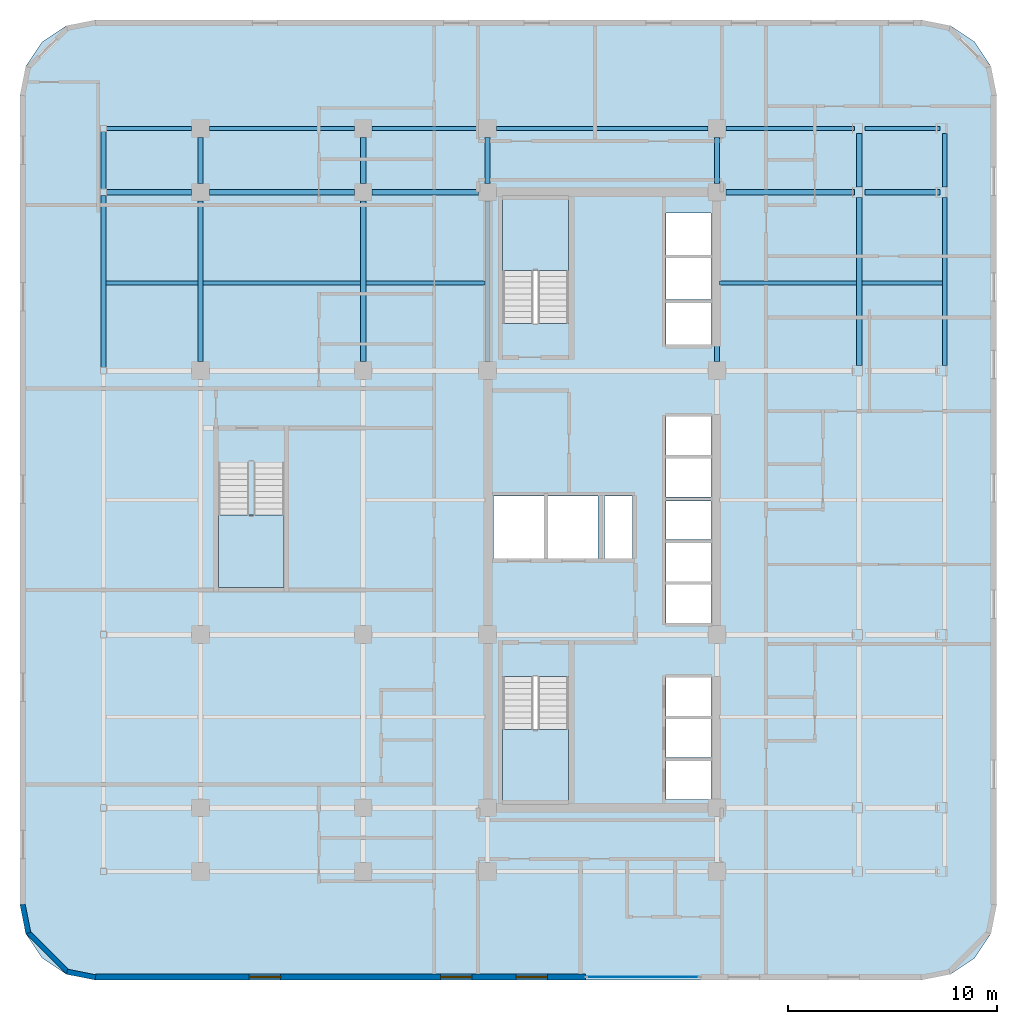
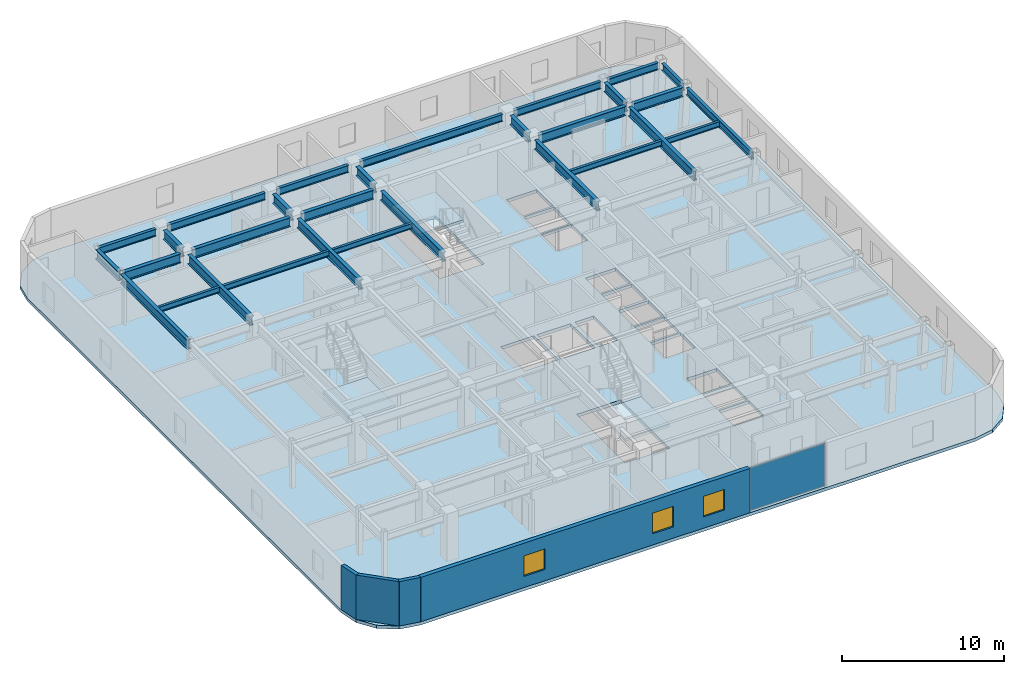
# One storey, part 7 of 13: 30 beams, 4 slabs, 4 walls, 3 windows, 1 plate, 3 openings, 4 elements without a shape of their own.
"""IFC4 building model written with IfcOpenShell, lengths in metres."""

from ifc_helpers import new_model, si_unit, direction, frame, frame_2d, origin, origin_2d, place, context, subcontext, project, spatial, polyline, rectangle, i_section, outline, extrude, material, layer, layer_set, material_profile, profile_set, type_object, element, fill, aggregate, save


model = new_model("IFC4")

# Units and contexts
model_context = context("Model", 3, precision=1e-05, world=origin(), true_north=direction((0.0, 1.0)))
body_context = subcontext(model_context, "Body", "Model", "MODEL_VIEW")
ifc_project = project(units=[si_unit("LENGTHUNIT", "METRE"), si_unit("AREAUNIT", "SQUARE_METRE"), si_unit("VOLUMEUNIT", "CUBIC_METRE"), si_unit("PLANEANGLEUNIT", "RADIAN"), si_unit("MASSUNIT", "GRAM", prefix="KILO")], contexts=[model_context])

# Site, building, storey
site_placement = place(None, origin())
site = spatial("IfcSite", under=ifc_project, at=site_placement, CompositionType="ELEMENT")
building_placement = place(site_placement, origin())
building = spatial("IfcBuilding", under=site, at=building_placement, Name="Ochreholt Gables", CompositionType="ELEMENT")
storey_placement = place(building_placement, frame((0.0, 0.0, 56.39990234375)))
storey = spatial("IfcBuildingStorey", under=building, at=storey_placement, Name="L14", CompositionType="ELEMENT", Elevation=56.39990234375)

# Beams
ifc_material_1 = material(Name="Steel CSA G40.21 350W", Category="steel")
ifc_material_profile_1 = material_profile(ifc_material_1, i_section(OverallWidth=0.256103515625, OverallDepth=0.693115234375, WebThickness=0.014404296875, FlangeThickness=0.023681640625, at=origin_2d()), Name="W690X170")
ifc_profile_set_1 = profile_set([ifc_material_profile_1], Name="Steel CSA G40.21 350W")
beam_type_1 = type_object("IfcBeamType", Name="BM-G-W690", PredefinedType="BEAM", material=ifc_profile_set_1)
beam_1_placement = place(storey_placement, frame((5.9521484375, 38.75, 3.003662109375), z_axis=(1.0, 0.0, 0.0), x_axis=(0.0, 1.0, 0.0)))
element("IfcBeam", 1, at=beam_1_placement, inside=storey, type_object=beam_type_1, Name="L14 Beam TBG-L14-WTW2-Y5", PredefinedType="BEAM", context=body_context, shape_type="SweptSolid", body=[
    extrude(i_section(OverallWidth=0.256103515625, OverallDepth=0.693115234375, WebThickness=0.014404296875, FlangeThickness=0.023681640625, at=origin_2d()), origin(), (0.0, 0.0, 1.0), 4.0732421875),
])
beam_2_placement = place(storey_placement, frame((10.87451171875, 38.75, 3.003662109375), z_axis=(1.0, 0.0, 0.0), x_axis=(0.0, 1.0, 0.0)))
element("IfcBeam", 2, at=beam_2_placement, inside=storey, type_object=beam_type_1, Name="L14 Beam TBG-L14-W2W3-Y5", PredefinedType="BEAM", context=body_context, shape_type="SweptSolid", body=[
    extrude(i_section(OverallWidth=0.256103515625, OverallDepth=0.693115234375, WebThickness=0.014404296875, FlangeThickness=0.023681640625, at=origin_2d()), origin(), (0.0, 0.0, 1.0), 6.950927734375),
])
beam_3_placement = place(storey_placement, frame((18.674560546875, 38.75, 3.003662109375), z_axis=(1.0, 0.0, 0.0), x_axis=(0.0, 1.0, 0.0)))
element("IfcBeam", 3, at=beam_3_placement, inside=storey, type_object=beam_type_1, Name="L14 Beam TBG-L14-W3C1-Y5", PredefinedType="BEAM", context=body_context, shape_type="SweptSolid", body=[
    extrude(i_section(OverallWidth=0.256103515625, OverallDepth=0.693115234375, WebThickness=0.014404296875, FlangeThickness=0.023681640625, at=origin_2d()), origin(), (0.0, 0.0, 1.0), 5.100830078125),
])
beam_4_placement = place(storey_placement, frame((35.62451171875, 38.75, 3.003662109375), z_axis=(1.0, 0.0, 0.0), x_axis=(0.0, 1.0, 0.0)))
element("IfcBeam", 4, at=beam_4_placement, inside=storey, type_object=beam_type_1, Name="L14 Beam TBG-L14-C2EM-Y5", PredefinedType="BEAM", context=body_context, shape_type="SweptSolid", body=[
    extrude(i_section(OverallWidth=0.256103515625, OverallDepth=0.693115234375, WebThickness=0.014404296875, FlangeThickness=0.023681640625, at=origin_2d()), origin(), (0.0, 0.0, 1.0), 6.161865234375),
])
beam_5_placement = place(storey_placement, frame((42.28564453125, 38.75, 3.003662109375), z_axis=(1.0, 0.0, 0.0), x_axis=(0.0, 1.0, 0.0)))
element("IfcBeam", 5, at=beam_5_placement, inside=storey, type_object=beam_type_1, Name="L14 Beam TBG-L14-EMEE-Y5", PredefinedType="BEAM", context=body_context, shape_type="SweptSolid", body=[
    extrude(i_section(OverallWidth=0.256103515625, OverallDepth=0.693115234375, WebThickness=0.014404296875, FlangeThickness=0.023681640625, at=origin_2d()), origin(), (0.0, 0.0, 1.0), 3.6015625),
])
beam_6_placement = place(storey_placement, frame((5.800048828125, 30.35205078125, 3.003662109375), z_axis=(0.0, 1.0, 0.0), x_axis=(-1.0, 0.0, 0.0)))
element("IfcBeam", 6, at=beam_6_placement, inside=storey, type_object=beam_type_1, Name="L14 Beam TBN-L14-WT-Y4Y5", PredefinedType="BEAM", context=body_context, shape_type="SweptSolid", body=[
    extrude(i_section(OverallWidth=0.256103515625, OverallDepth=0.693115234375, WebThickness=0.014404296875, FlangeThickness=0.023681640625, at=origin_2d()), origin(), (0.0, 0.0, 1.0), 8.245849609375),
])
beam_7_placement = place(storey_placement, frame((5.800048828125, 38.902099609375, 3.003662109375), z_axis=(0.0, 1.0, 0.0), x_axis=(-1.0, 0.0, 0.0)))
element("IfcBeam", 7, at=beam_7_placement, inside=storey, type_object=beam_type_1, Name="L14 Beam TBN-L14-WT-Y5Y6", PredefinedType="BEAM", context=body_context, shape_type="SweptSolid", body=[
    extrude(i_section(OverallWidth=0.256103515625, OverallDepth=0.693115234375, WebThickness=0.014404296875, FlangeThickness=0.023681640625, at=origin_2d()), origin(), (0.0, 0.0, 1.0), 2.745849609375),
])
beam_8_placement = place(storey_placement, frame((10.449951171875, 30.62451171875, 3.003662109375), z_axis=(0.0, 1.0, 0.0), x_axis=(-1.0, 0.0, 0.0)))
element("IfcBeam", 8, at=beam_8_placement, inside=storey, type_object=beam_type_1, Name="L14 Beam TBN-L14-W2-Y4Y5", PredefinedType="BEAM", context=body_context, shape_type="SweptSolid", body=[
    extrude(i_section(OverallWidth=0.256103515625, OverallDepth=0.693115234375, WebThickness=0.014404296875, FlangeThickness=0.023681640625, at=origin_2d()), origin(), (0.0, 0.0, 1.0), 7.700927734375),
])
beam_9_placement = place(storey_placement, frame((10.449951171875, 39.174560546875, 3.003662109375), z_axis=(0.0, 1.0, 0.0), x_axis=(-1.0, 0.0, 0.0)))
element("IfcBeam", 9, at=beam_9_placement, inside=storey, type_object=beam_type_1, Name="L14 Beam TBN-L14-W2-Y5Y6", PredefinedType="BEAM", context=body_context, shape_type="SweptSolid", body=[
    extrude(i_section(OverallWidth=0.256103515625, OverallDepth=0.693115234375, WebThickness=0.014404296875, FlangeThickness=0.023681640625, at=origin_2d()), origin(), (0.0, 0.0, 1.0), 2.200927734375),
])
beam_10_placement = place(storey_placement, frame((18.25, 30.62451171875, 3.003662109375), z_axis=(0.0, 1.0, 0.0), x_axis=(-1.0, 0.0, 0.0)))
element("IfcBeam", 10, at=beam_10_placement, inside=storey, type_object=beam_type_1, Name="L14 Beam TBN-L14-W3-Y4Y5", PredefinedType="BEAM", context=body_context, shape_type="SweptSolid", body=[
    extrude(i_section(OverallWidth=0.256103515625, OverallDepth=0.693115234375, WebThickness=0.014404296875, FlangeThickness=0.023681640625, at=origin_2d()), origin(), (0.0, 0.0, 1.0), 7.700927734375),
])
beam_11_placement = place(storey_placement, frame((18.25, 39.174560546875, 3.003662109375), z_axis=(0.0, 1.0, 0.0), x_axis=(-1.0, 0.0, 0.0)))
element("IfcBeam", 11, at=beam_11_placement, inside=storey, type_object=beam_type_1, Name="L14 Beam TBN-L14-W3-Y5Y6", PredefinedType="BEAM", context=body_context, shape_type="SweptSolid", body=[
    extrude(i_section(OverallWidth=0.256103515625, OverallDepth=0.693115234375, WebThickness=0.014404296875, FlangeThickness=0.023681640625, at=origin_2d()), origin(), (0.0, 0.0, 1.0), 2.200927734375),
])
beam_12_placement = place(storey_placement, frame((24.199951171875, 30.62451171875, 3.003662109375), z_axis=(0.0, 1.0, 0.0), x_axis=(-1.0, 0.0, 0.0)))
element("IfcBeam", 12, at=beam_12_placement, inside=storey, type_object=beam_type_1, Name="L14 Beam TBN-L14-C1-Y4Y5", PredefinedType="BEAM", context=body_context, shape_type="SweptSolid", body=[
    extrude(i_section(OverallWidth=0.256103515625, OverallDepth=0.693115234375, WebThickness=0.014404296875, FlangeThickness=0.023681640625, at=origin_2d()), origin(), (0.0, 0.0, 1.0), 7.700927734375),
])
beam_13_placement = place(storey_placement, frame((24.199951171875, 39.174560546875, 3.003662109375), z_axis=(0.0, 1.0, 0.0), x_axis=(-1.0, 0.0, 0.0)))
element("IfcBeam", 13, at=beam_13_placement, inside=storey, type_object=beam_type_1, Name="L14 Beam TBN-L14-C1-Y5Y6", PredefinedType="BEAM", context=body_context, shape_type="SweptSolid", body=[
    extrude(i_section(OverallWidth=0.256103515625, OverallDepth=0.693115234375, WebThickness=0.014404296875, FlangeThickness=0.023681640625, at=origin_2d()), origin(), (0.0, 0.0, 1.0), 2.200927734375),
])
beam_14_placement = place(storey_placement, frame((35.199951171875, 30.62451171875, 3.003662109375), z_axis=(0.0, 1.0, 0.0), x_axis=(-1.0, 0.0, 0.0)))
element("IfcBeam", 14, at=beam_14_placement, inside=storey, type_object=beam_type_1, Name="L14 Beam TBN-L14-C2-Y4Y5", PredefinedType="BEAM", context=body_context, shape_type="SweptSolid", body=[
    extrude(i_section(OverallWidth=0.256103515625, OverallDepth=0.693115234375, WebThickness=0.014404296875, FlangeThickness=0.023681640625, at=origin_2d()), origin(), (0.0, 0.0, 1.0), 7.700927734375),
])
beam_15_placement = place(storey_placement, frame((35.199951171875, 39.174560546875, 3.003662109375), z_axis=(0.0, 1.0, 0.0), x_axis=(-1.0, 0.0, 0.0)))
element("IfcBeam", 15, at=beam_15_placement, inside=storey, type_object=beam_type_1, Name="L14 Beam TBN-L14-C2-Y5Y6", PredefinedType="BEAM", context=body_context, shape_type="SweptSolid", body=[
    extrude(i_section(OverallWidth=0.256103515625, OverallDepth=0.693115234375, WebThickness=0.014404296875, FlangeThickness=0.023681640625, at=origin_2d()), origin(), (0.0, 0.0, 1.0), 2.200927734375),
])
beam_16_placement = place(storey_placement, frame((42.0185546875, 30.44970703125, 3.003662109375), z_axis=(0.0, 1.0, 0.0), x_axis=(-1.0, 0.0, 0.0)))
element("IfcBeam", 16, at=beam_16_placement, inside=storey, type_object=beam_type_1, Name="L14 Beam TBN-L14-EM-Y4Y5", PredefinedType="BEAM", context=body_context, shape_type="SweptSolid", body=[
    extrude(i_section(OverallWidth=0.256103515625, OverallDepth=0.693115234375, WebThickness=0.014404296875, FlangeThickness=0.023681640625, at=origin_2d()), origin(), (0.0, 0.0, 1.0), 8.05078125),
])
beam_17_placement = place(storey_placement, frame((42.0185546875, 38.99951171875, 3.003662109375), z_axis=(0.0, 1.0, 0.0), x_axis=(-1.0, 0.0, 0.0)))
element("IfcBeam", 17, at=beam_17_placement, inside=storey, type_object=beam_type_1, Name="L14 Beam TBN-L14-EM-Y5Y6", PredefinedType="BEAM", context=body_context, shape_type="SweptSolid", body=[
    extrude(i_section(OverallWidth=0.256103515625, OverallDepth=0.693115234375, WebThickness=0.014404296875, FlangeThickness=0.023681640625, at=origin_2d()), origin(), (0.0, 0.0, 1.0), 2.55078125),
])
ifc_material_profile_2 = material_profile(ifc_material_1, i_section(OverallWidth=0.178955078125, OverallDepth=0.409912109375, WebThickness=0.0087890625, FlangeThickness=0.014404296875, at=origin_2d()), Name="W410X67")
ifc_profile_set_2 = profile_set([ifc_material_profile_2], Name="Steel CSA G40.21 350W")
beam_type_2 = type_object("IfcBeamType", Name="BM-J-W410", PredefinedType="JOIST", material=ifc_profile_set_2)
beam_18_placement = place(storey_placement, frame((5.927490234375, 34.39990234375, 3.14501953125), z_axis=(1.0, 0.0, 0.0), x_axis=(0.0, 1.0, 0.0)))
element("IfcBeam", 18, at=beam_18_placement, inside=storey, type_object=beam_type_2, Name="L14 Beam TBJ-L14-J3-WTW2", PredefinedType="JOIST", context=body_context, shape_type="SweptSolid", body=[
    extrude(i_section(OverallWidth=0.178955078125, OverallDepth=0.409912109375, WebThickness=0.0087890625, FlangeThickness=0.014404296875, at=origin_2d()), origin(), (0.0, 0.0, 1.0), 4.39501953125),
])
beam_19_placement = place(storey_placement, frame((10.57763671875, 34.39990234375, 3.14501953125), z_axis=(1.0, 0.0, 0.0), x_axis=(0.0, 1.0, 0.0)))
element("IfcBeam", 19, at=beam_19_placement, inside=storey, type_object=beam_type_2, Name="L14 Beam TBJ-L14-J3-W2W3", PredefinedType="JOIST", context=body_context, shape_type="SweptSolid", body=[
    extrude(i_section(OverallWidth=0.178955078125, OverallDepth=0.409912109375, WebThickness=0.0087890625, FlangeThickness=0.014404296875, at=origin_2d()), origin(), (0.0, 0.0, 1.0), 7.544677734375),
])
beam_20_placement = place(storey_placement, frame((18.377685546875, 34.39990234375, 3.14501953125), z_axis=(1.0, 0.0, 0.0), x_axis=(0.0, 1.0, 0.0)))
element("IfcBeam", 20, at=beam_20_placement, inside=storey, type_object=beam_type_2, Name="L14 Beam TBJ-L14-J3-W3C1", PredefinedType="JOIST", context=body_context, shape_type="SweptSolid", body=[
    extrude(i_section(OverallWidth=0.178955078125, OverallDepth=0.409912109375, WebThickness=0.0087890625, FlangeThickness=0.014404296875, at=origin_2d()), origin(), (0.0, 0.0, 1.0), 5.69482421875),
])
beam_21_placement = place(storey_placement, frame((35.32763671875, 34.39990234375, 3.14501953125), z_axis=(1.0, 0.0, 0.0), x_axis=(0.0, 1.0, 0.0)))
element("IfcBeam", 21, at=beam_21_placement, inside=storey, type_object=beam_type_2, Name="L14 Beam TBJ-L14-J3-C2EM", PredefinedType="JOIST", context=body_context, shape_type="SweptSolid", body=[
    extrude(i_section(OverallWidth=0.178955078125, OverallDepth=0.409912109375, WebThickness=0.0087890625, FlangeThickness=0.014404296875, at=origin_2d()), origin(), (0.0, 0.0, 1.0), 6.563232421875),
])
beam_22_placement = place(storey_placement, frame((42.14599609375, 34.39990234375, 3.14501953125), z_axis=(1.0, 0.0, 0.0), x_axis=(0.0, 1.0, 0.0)))
element("IfcBeam", 22, at=beam_22_placement, inside=storey, type_object=beam_type_2, Name="L14 Beam TBJ-L14-J3-EMEE", PredefinedType="JOIST", context=body_context, shape_type="SweptSolid", body=[
    extrude(i_section(OverallWidth=0.178955078125, OverallDepth=0.409912109375, WebThickness=0.0087890625, FlangeThickness=0.014404296875, at=origin_2d()), origin(), (0.0, 0.0, 1.0), 3.857666015625),
])
ifc_material_profile_3 = material_profile(ifc_material_1, i_section(OverallWidth=0.208984375, OverallDepth=0.532958984375, WebThickness=0.01025390625, FlangeThickness=0.015625, at=origin_2d()), Name="W530X92")
ifc_profile_set_3 = profile_set([ifc_material_profile_3], Name="Steel CSA G40.21 350W")
beam_type_3 = type_object("IfcBeamType", Name="BM-SP-W530B", PredefinedType="SPANDREL", material=ifc_profile_set_3)
beam_23_placement = place(storey_placement, frame((5.9521484375, 41.800048828125, 3.08349609375), z_axis=(1.0, 0.0, 0.0), x_axis=(0.0, 1.0, 0.0)))
element("IfcBeam", 23, at=beam_23_placement, inside=storey, type_object=beam_type_3, Name="L14 Beam TBG-L14-WTW2-Y6", PredefinedType="SPANDREL", context=body_context, shape_type="SweptSolid", body=[
    extrude(i_section(OverallWidth=0.208984375, OverallDepth=0.532958984375, WebThickness=0.01025390625, FlangeThickness=0.015625, at=origin_2d()), origin(), (0.0, 0.0, 1.0), 4.0732421875),
])
beam_24_placement = place(storey_placement, frame((10.87451171875, 41.800048828125, 3.08349609375), z_axis=(1.0, 0.0, 0.0), x_axis=(0.0, 1.0, 0.0)))
element("IfcBeam", 24, at=beam_24_placement, inside=storey, type_object=beam_type_3, Name="L14 Beam TBG-L14-W2W3-Y6", PredefinedType="SPANDREL", context=body_context, shape_type="SweptSolid", body=[
    extrude(i_section(OverallWidth=0.208984375, OverallDepth=0.532958984375, WebThickness=0.01025390625, FlangeThickness=0.015625, at=origin_2d()), origin(), (0.0, 0.0, 1.0), 6.950927734375),
])
beam_25_placement = place(storey_placement, frame((18.674560546875, 41.800048828125, 3.08349609375), z_axis=(1.0, 0.0, 0.0), x_axis=(0.0, 1.0, 0.0)))
element("IfcBeam", 25, at=beam_25_placement, inside=storey, type_object=beam_type_3, Name="L14 Beam TBG-L14-W3C1-Y6", PredefinedType="SPANDREL", context=body_context, shape_type="SweptSolid", body=[
    extrude(i_section(OverallWidth=0.208984375, OverallDepth=0.532958984375, WebThickness=0.01025390625, FlangeThickness=0.015625, at=origin_2d()), origin(), (0.0, 0.0, 1.0), 5.100830078125),
])
beam_26_placement = place(storey_placement, frame((24.62451171875, 41.800048828125, 3.08349609375), z_axis=(1.0, 0.0, 0.0), x_axis=(0.0, 1.0, 0.0)))
element("IfcBeam", 26, at=beam_26_placement, inside=storey, type_object=beam_type_3, Name="L14 Beam TBG-L14-C1C2-Y6", PredefinedType="SPANDREL", context=body_context, shape_type="SweptSolid", body=[
    extrude(i_section(OverallWidth=0.208984375, OverallDepth=0.532958984375, WebThickness=0.01025390625, FlangeThickness=0.015625, at=origin_2d()), origin(), (0.0, 0.0, 1.0), 10.15087890625),
])
beam_27_placement = place(storey_placement, frame((35.62451171875, 41.800048828125, 3.08349609375), z_axis=(1.0, 0.0, 0.0), x_axis=(0.0, 1.0, 0.0)))
element("IfcBeam", 27, at=beam_27_placement, inside=storey, type_object=beam_type_3, Name="L14 Beam TBG-L14-C2EM-Y6", PredefinedType="SPANDREL", context=body_context, shape_type="SweptSolid", body=[
    extrude(i_section(OverallWidth=0.208984375, OverallDepth=0.532958984375, WebThickness=0.01025390625, FlangeThickness=0.015625, at=origin_2d()), origin(), (0.0, 0.0, 1.0), 6.161865234375),
])
beam_28_placement = place(storey_placement, frame((42.28564453125, 41.800048828125, 3.08349609375), z_axis=(1.0, 0.0, 0.0), x_axis=(0.0, 1.0, 0.0)))
element("IfcBeam", 28, at=beam_28_placement, inside=storey, type_object=beam_type_3, Name="L14 Beam TBG-L14-EMEE-Y6", PredefinedType="SPANDREL", context=body_context, shape_type="SweptSolid", body=[
    extrude(i_section(OverallWidth=0.208984375, OverallDepth=0.532958984375, WebThickness=0.01025390625, FlangeThickness=0.015625, at=origin_2d()), origin(), (0.0, 0.0, 1.0), 3.6015625),
])
beam_29_placement = place(storey_placement, frame((46.10791015625, 30.44970703125, 3.08349609375), z_axis=(0.0, 1.0, 0.0), x_axis=(-1.0, 0.0, 0.0)))
element("IfcBeam", 29, at=beam_29_placement, inside=storey, type_object=beam_type_3, Name="L14 Beam TBN-L14-EE-Y4Y5", PredefinedType="SPANDREL", context=body_context, shape_type="SweptSolid", body=[
    extrude(i_section(OverallWidth=0.208984375, OverallDepth=0.532958984375, WebThickness=0.01025390625, FlangeThickness=0.015625, at=origin_2d()), origin(), (0.0, 0.0, 1.0), 8.05078125),
])
beam_30_placement = place(storey_placement, frame((46.10791015625, 38.99951171875, 3.08349609375), z_axis=(0.0, 1.0, 0.0), x_axis=(-1.0, 0.0, 0.0)))
element("IfcBeam", 30, at=beam_30_placement, inside=storey, type_object=beam_type_3, Name="L14 Beam TBN-L14-EE-Y5Y6", PredefinedType="SPANDREL", context=body_context, shape_type="SweptSolid", body=[
    extrude(i_section(OverallWidth=0.208984375, OverallDepth=0.532958984375, WebThickness=0.01025390625, FlangeThickness=0.015625, at=origin_2d()), origin(), (0.0, 0.0, 1.0), 2.55078125),
])

# Curtain wall, plate
ifc_material_2 = material(Name="Unitised Aluminium and Triple Glazing", Category="aluminium")
ifc_layer_1 = layer(ifc_material_2, 0.179931640625, Name="Unitised Aluminium and Triple Glazing")
ifc_layer_set_1 = layer_set([ifc_layer_1], Name="Unitised Aluminium and Triple Glazing")
curtain_wall_type = type_object("IfcCurtainWallType", Name="CW-SYS2", PredefinedType="NOTDEFINED", material=ifc_layer_set_1)
curtain_wall_placement = place(storey_placement, origin())
curtain_wall = element("IfcCurtainWall", 31, at=curtain_wall_placement, inside=storey, type_object=curtain_wall_type, Name="L14 South Unitised Curtain Wall", PredefinedType="NOTDEFINED")
ifc_material_3 = material(Name="Triple Low-E Insulating Glass", Category="glass")
ifc_layer_2 = layer(ifc_material_3, 0.031982421875, Name="Triple Low-E Insulating Glass")
ifc_layer_set_2 = layer_set([ifc_layer_2], Name="Triple Low-E Insulating Glass")
plate_type = type_object("IfcPlateType", Name="CW-PNL-32", PredefinedType="CURTAIN_PANEL", material=ifc_layer_set_2)
plate_placement = place(storey_placement, frame((31.650634765625, 1.14501953125, 0.06494140625), z_axis=(0.0, 0.0, 1.0), x_axis=(1.0, 0.0, 0.0)))
plate = element("IfcPlate", 32, at=plate_placement, type_object=plate_type, Name="CW-2 panel 1.1", PredefinedType="CURTAIN_PANEL", context=body_context, shape_type="SweptSolid", body=[
    extrude(rectangle(XDim=5.36865234375, YDim=0.031982421875, at=origin_2d()), origin(), (0.0, 0.0, 1.0), 3.219970703125),
])
aggregate(curtain_wall, [plate])

# Stair, slab
ifc_material_4 = material(Name="Concrete 40 MPa", Category="concrete")
stair_type_1 = type_object("IfcStairType", Name="STAIR-CORE-ST-1", PredefinedType="HALF_TURN_STAIR", material=ifc_material_4)
stair_1_placement = place(storey_placement, origin())
stair_1 = element("IfcStair", 33, at=stair_1_placement, inside=storey, type_object=stair_type_1, Name="L14 Core Exit Stair 1", PredefinedType="HALF_TURN_STAIR")
ifc_layer_3 = layer(ifc_material_4, 0.199951171875, Name="Concrete 40 MPa")
ifc_layer_set_3 = layer_set([ifc_layer_3], Name="Concrete 40 MPa")
slab_type_1 = type_object("IfcSlabType", Name="LANDING-RC200", PredefinedType="LANDING", material=ifc_layer_set_3)
slab_1_placement = place(storey_placement, frame((0.0, 0.0, 1.60009765625)))
slab_1 = element("IfcSlab", 34, at=slab_1_placement, type_object=slab_type_1, Name="ST-1 landing 1", PredefinedType="LANDING", context=body_context, shape_type="SweptSolid", body=[
    extrude(outline(polyline([(24.919921875, 13.001953125), (24.919921875, 9.52001953125), (28.080078125, 9.52001953125), (28.080078125, 13.001953125), (24.919921875, 13.001953125)])), origin(), (0.0, 0.0, 1.0), 0.199951171875),
])
aggregate(stair_1, [slab_1])

stair_type_2 = type_object("IfcStairType", Name="STAIR-CORE-ST-2", PredefinedType="HALF_TURN_STAIR", material=ifc_material_4)
stair_2_placement = place(storey_placement, origin())
stair_2 = element("IfcStair", 35, at=stair_2_placement, inside=storey, type_object=stair_type_2, Name="L14 Core Exit Stair 2", PredefinedType="HALF_TURN_STAIR")
slab_2_placement = place(storey_placement, frame((0.0, 0.0, 1.60009765625)))
slab_2 = element("IfcSlab", 36, at=slab_2_placement, type_object=slab_type_1, Name="ST-2 landing 1", PredefinedType="LANDING", context=body_context, shape_type="SweptSolid", body=[
    extrude(outline(polyline([(28.080078125, 34.998046875), (28.080078125, 38.47998046875), (24.919921875, 38.47998046875), (24.919921875, 34.998046875), (28.080078125, 34.998046875)])), origin(), (0.0, 0.0, 1.0), 0.199951171875),
])
aggregate(stair_2, [slab_2])

stair_type_3 = type_object("IfcStairType", Name="STAIR-CORE-ST-C1", PredefinedType="HALF_TURN_STAIR", material=ifc_material_4)
stair_3_placement = place(storey_placement, origin())
stair_3 = element("IfcStair", 37, at=stair_3_placement, inside=storey, type_object=stair_type_3, Name="L14 Community Feature Stair ST-C1", PredefinedType="HALF_TURN_STAIR")
slab_3_placement = place(storey_placement, frame((0.0, 0.0, 1.60009765625)))
slab_3 = element("IfcSlab", 38, at=slab_3_placement, type_object=slab_type_1, Name="ST-C1 landing 1", PredefinedType="LANDING", context=body_context, shape_type="SweptSolid", body=[
    extrude(outline(polyline([(11.300048828125, 23.281982421875), (11.300048828125, 19.800048828125), (14.4599609375, 19.800048828125), (14.4599609375, 23.281982421875), (11.300048828125, 23.281982421875)])), origin(), (0.0, 0.0, 1.0), 0.199951171875),
])
aggregate(stair_3, [slab_3])

# Slab
ifc_layer_4 = layer(ifc_material_4, 0.239990234375, Name="Concrete 40 MPa")
ifc_layer_set_4 = layer_set([ifc_layer_4], Name="Concrete 40 MPa")
slab_type_2 = type_object("IfcSlabType", Name="SLAB-TWR-240", PredefinedType="FLOOR", material=ifc_layer_set_4)
slab_4_placement = place(storey_placement, frame((0.0, 0.0, -0.239990234375)))
element("IfcSlab", 39, at=slab_4_placement, inside=storey, type_object=slab_type_2, Name="L14 Structural Floor Slab", PredefinedType="FLOOR", context=body_context, shape_type="SweptSolid", body=[
    extrude(outline(polyline([(1.800048828125, 4.60009765625), (2.073974609375, 3.222412109375), (2.8544921875, 2.054443359375), (4.022216796875, 1.27392578125), (5.39990234375, 1.0), (45.0, 1.0), (46.377685546875, 1.27392578125), (47.545654296875, 2.054443359375), (48.325927734375, 3.222412109375), (48.60009765625, 4.60009765625), (48.60009765625, 43.39990234375), (48.325927734375, 44.777587890625), (47.545654296875, 45.945556640625), (46.377685546875, 46.72607421875), (45.0, 47.0), (5.39990234375, 47.0), (4.022216796875, 46.72607421875), (2.8544921875, 45.945556640625), (2.073974609375, 44.777587890625), (1.800048828125, 43.39990234375), (1.800048828125, 4.60009765625)]), holes=[polyline([(24.919921875, 15.539306640625), (24.919921875, 9.52001953125), (28.080078125, 9.52001953125), (28.080078125, 15.539306640625), (24.919921875, 15.539306640625)]), polyline([(28.080078125, 32.460693359375), (28.080078125, 38.47998046875), (24.919921875, 38.47998046875), (24.919921875, 32.460693359375), (28.080078125, 32.460693359375)]), polyline([(24.5, 21.199951171875), (26.89990234375, 21.199951171875), (26.89990234375, 24.199951171875), (24.5, 24.199951171875), (24.5, 21.199951171875)]), polyline([(27.10009765625, 21.199951171875), (29.5, 21.199951171875), (29.5, 24.199951171875), (27.10009765625, 24.199951171875), (27.10009765625, 21.199951171875)]), polyline([(32.75, 9.64990234375), (34.89990234375, 9.64990234375), (34.89990234375, 11.5), (32.75, 11.5), (32.75, 9.64990234375)]), polyline([(32.75, 11.64990234375), (34.89990234375, 11.64990234375), (34.89990234375, 13.5), (32.75, 13.5), (32.75, 11.64990234375)]), polyline([(32.75, 13.64990234375), (34.89990234375, 13.64990234375), (34.89990234375, 15.5), (32.75, 15.5), (32.75, 13.64990234375)]), polyline([(32.75, 18.10009765625), (34.89990234375, 18.10009765625), (34.89990234375, 19.949951171875), (32.75, 19.949951171875), (32.75, 18.10009765625)]), polyline([(32.75, 20.10009765625), (34.89990234375, 20.10009765625), (34.89990234375, 21.949951171875), (32.75, 21.949951171875), (32.75, 20.10009765625)]), polyline([(32.75, 22.10009765625), (34.89990234375, 22.10009765625), (34.89990234375, 23.949951171875), (32.75, 23.949951171875), (32.75, 22.10009765625)]), polyline([(32.75, 24.14990234375), (34.89990234375, 24.14990234375), (34.89990234375, 26.0), (32.75, 26.0), (32.75, 24.14990234375)]), polyline([(32.75, 26.14990234375), (34.89990234375, 26.14990234375), (34.89990234375, 28.0), (32.75, 28.0), (32.75, 26.14990234375)]), polyline([(32.75, 31.449951171875), (34.89990234375, 31.449951171875), (34.89990234375, 33.449951171875), (32.75, 33.449951171875), (32.75, 31.449951171875)]), polyline([(32.75, 33.60009765625), (34.89990234375, 33.60009765625), (34.89990234375, 35.60009765625), (32.75, 35.60009765625), (32.75, 33.60009765625)]), polyline([(32.75, 35.75), (34.89990234375, 35.75), (34.89990234375, 37.75), (32.75, 37.75), (32.75, 35.75)]), polyline([(29.800048828125, 21.199951171875), (31.14990234375, 21.199951171875), (31.14990234375, 24.199951171875), (29.800048828125, 24.199951171875), (29.800048828125, 21.199951171875)])]), origin(), (0.0, 0.0, 1.0), 0.239990234375),
])

# Wall, openings, windows
ifc_material_5 = material(Name="Precast concrete 40 MPa", Category="concrete")
ifc_layer_5 = layer(ifc_material_5, 0.2900390625, Name="Precast concrete 40 MPa")
ifc_layer_set_5 = layer_set([ifc_layer_5], Name="Precast concrete 40 MPa")
wall_type_1 = type_object("IfcWallType", Name="WALL-EXT-290", PredefinedType="SOLIDWALL", material=ifc_layer_set_5)
wall_1_placement = place(storey_placement, frame((5.419921875, 1.14501953125, 0.0), z_axis=(0.0, 0.0, 1.0), x_axis=(1.0, 0.0, 0.0)))
wall_1 = element("IfcWall", 40, at=wall_1_placement, inside=storey, type_object=wall_type_1, Name="L14 South Facade Wall 1", PredefinedType="SOLIDWALL", context=body_context, shape_type="SweptSolid", body=[
    extrude(rectangle(XDim=23.4814453125, YDim=0.2900390625, at=frame_2d((11.74072265625, 0.0))), origin(), (0.0, 0.0, 1.0), 3.35009765625),
])
opening_1_placement = place(wall_1_placement, frame((7.364990234375, 0.0, 0.85009765625)))
opening_1 = element("IfcOpeningElement", 41, at=opening_1_placement, cuts=wall_1, Name="Opening WN-2", PredefinedType="OPENING", context=body_context, shape_type="SweptSolid", body=[
    extrude(rectangle(XDim=1.5, YDim=1.550048828125, at=frame_2d((0.75, 0.77490234375))), frame((0.0, 0.155029296875, 0.0), z_axis=(0.0, -1.0, 0.0), x_axis=(1.0, 0.0, 0.0)), (0.0, 0.0, 1.0), 0.31005859375),
])
opening_2_placement = place(wall_1_placement, frame((16.530029296875, 0.0, 0.85009765625)))
opening_2 = element("IfcOpeningElement", 42, at=opening_2_placement, cuts=wall_1, Name="Opening WN-2", PredefinedType="OPENING", context=body_context, shape_type="SweptSolid", body=[
    extrude(rectangle(XDim=1.5, YDim=1.550048828125, at=frame_2d((0.75, 0.77490234375))), frame((0.0, 0.155029296875, 0.0), z_axis=(0.0, -1.0, 0.0), x_axis=(1.0, 0.0, 0.0)), (0.0, 0.0, 1.0), 0.31005859375),
])
opening_3_placement = place(wall_1_placement, frame((20.15576171875, 0.0, 0.85009765625)))
opening_3 = element("IfcOpeningElement", 43, at=opening_3_placement, cuts=wall_1, Name="Opening WN-2", PredefinedType="OPENING", context=body_context, shape_type="SweptSolid", body=[
    extrude(rectangle(XDim=1.5, YDim=1.550048828125, at=frame_2d((0.75, 0.77490234375))), frame((0.0, 0.155029296875, 0.0), z_axis=(0.0, -1.0, 0.0), x_axis=(1.0, 0.0, 0.0)), (0.0, 0.0, 1.0), 0.31005859375),
])
ifc_material_6 = material(Name="Triple-Glazed Thermally Broken Aluminium Window", Category="aluminium")
window_type = type_object("IfcWindowType", Name="WIN-RES-1500", PartitioningType="SINGLE_PANEL", PredefinedType="WINDOW", material=ifc_material_6)
window_1_placement = place(opening_1_placement, origin())
window_1 = element("IfcWindow", 44, at=window_1_placement, inside=storey, type_object=window_type, Name="L14 Window W-EXT-S1-L14-1", OverallHeight=1.550048828125, OverallWidth=1.5, PartitioningType="SINGLE_PANEL", PredefinedType="WINDOW", context=body_context, shape_type="SweptSolid", body=[
    extrude(rectangle(XDim=1.5, YDim=1.550048828125, at=frame_2d((0.75, 0.77490234375))), frame((0.0, 0.030029296875, 0.0), z_axis=(0.0, -1.0, 0.0), x_axis=(1.0, 0.0, 0.0)), (0.0, 0.0, 1.0), 0.06005859375),
])
fill(opening_1, window_1)
window_2_placement = place(opening_2_placement, origin())
window_2 = element("IfcWindow", 45, at=window_2_placement, inside=storey, type_object=window_type, Name="L14 Window W-EXT-S1-L14-2", OverallHeight=1.550048828125, OverallWidth=1.5, PartitioningType="SINGLE_PANEL", PredefinedType="WINDOW", context=body_context, shape_type="SweptSolid", body=[
    extrude(rectangle(XDim=1.5, YDim=1.550048828125, at=frame_2d((0.75, 0.77490234375))), frame((0.0, 0.030029296875, 0.0), z_axis=(0.0, -1.0, 0.0), x_axis=(1.0, 0.0, 0.0)), (0.0, 0.0, 1.0), 0.06005859375),
])
fill(opening_2, window_2)
window_3_placement = place(opening_3_placement, origin())
window_3 = element("IfcWindow", 46, at=window_3_placement, inside=storey, type_object=window_type, Name="L14 Window W-EXT-S1-L14-3", OverallHeight=1.550048828125, OverallWidth=1.5, PartitioningType="SINGLE_PANEL", PredefinedType="WINDOW", context=body_context, shape_type="SweptSolid", body=[
    extrude(rectangle(XDim=1.5, YDim=1.550048828125, at=frame_2d((0.75, 0.77490234375))), frame((0.0, 0.030029296875, 0.0), z_axis=(0.0, -1.0, 0.0), x_axis=(1.0, 0.0, 0.0)), (0.0, 0.0, 1.0), 0.06005859375),
])
fill(opening_3, window_3)

# Walls
ifc_layer_6 = layer(ifc_material_5, 0.25, Name="Precast concrete 40 MPa")
ifc_layer_set_6 = layer_set([ifc_layer_6], Name="Precast concrete 40 MPa")
wall_type_2 = type_object("IfcWallType", Name="WALL-EXT-CNR", PredefinedType="SOLIDWALL", material=ifc_layer_set_6)
wall_2_placement = place(storey_placement, frame((1.92431640625, 4.616455078125, 0.0), z_axis=(0.0, 0.0, 1.0), x_axis=(0.19496651342, -0.980809899341, 0.0)))
element("IfcWall", 47, at=wall_2_placement, inside=storey, type_object=wall_type_2, Name="L14 Rounded Corner Wall SW-1", PredefinedType="SOLIDWALL", context=body_context, shape_type="SweptSolid", body=[
    extrude(rectangle(XDim=1.388671875, YDim=0.25, at=frame_2d((0.6943359375, 0.0))), origin(), (0.0, 0.0, 1.0), 3.35009765625),
])
wall_3_placement = place(storey_placement, frame((2.16796875, 3.304931640625, 0.0), z_axis=(0.0, 0.0, 1.0), x_axis=(0.707106781187, -0.707106781187, 0.0)))
element("IfcWall", 48, at=wall_3_placement, inside=storey, type_object=wall_type_2, Name="L14 Rounded Corner Wall SW-2", PredefinedType="SOLIDWALL", context=body_context, shape_type="SweptSolid", body=[
    extrude(rectangle(XDim=2.7392578125, YDim=0.25, at=frame_2d((1.36962890625, 0.0))), origin(), (0.0, 0.0, 1.0), 3.35009765625),
])
wall_4_placement = place(storey_placement, frame((4.054443359375, 1.39501953125, 0.0), z_axis=(0.0, 0.0, 1.0), x_axis=(0.980809899341, -0.19496651342, 0.0)))
element("IfcWall", 49, at=wall_4_placement, inside=storey, type_object=wall_type_2, Name="L14 Rounded Corner Wall SW-3", PredefinedType="SOLIDWALL", context=body_context, shape_type="SweptSolid", body=[
    extrude(rectangle(XDim=1.388671875, YDim=0.25, at=frame_2d((0.6943359375, 0.0))), origin(), (0.0, 0.0, 1.0), 3.35009765625),
])

save(model, "model.ifc")
